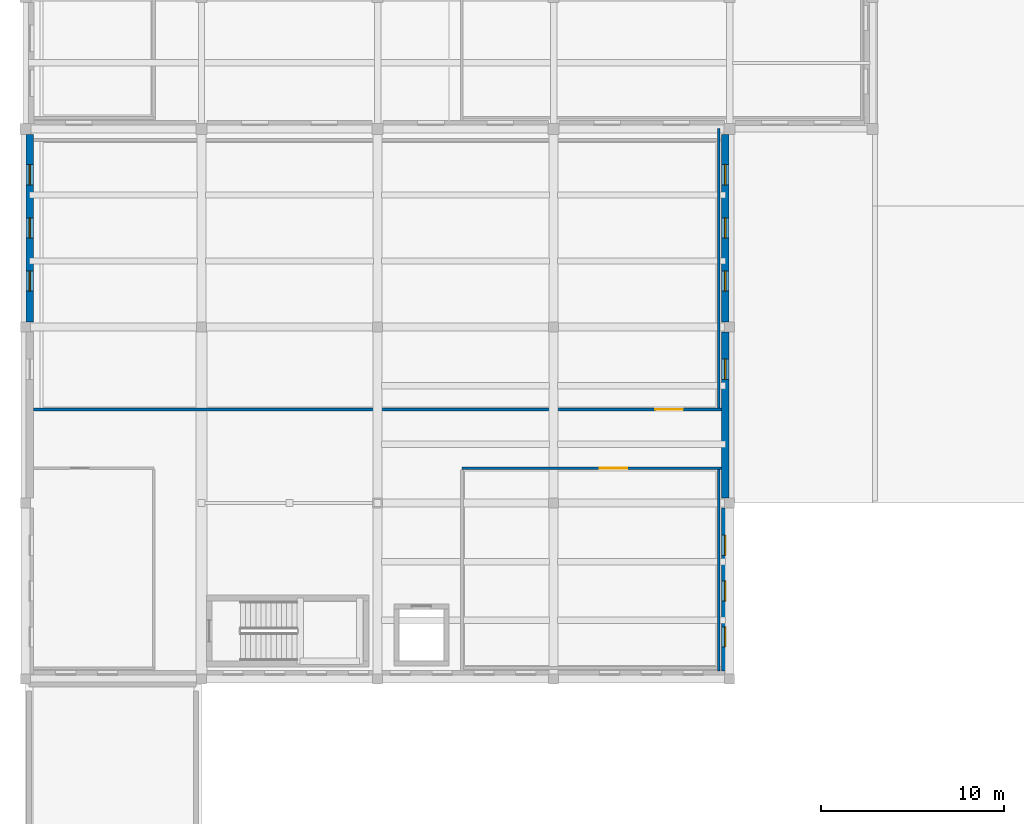
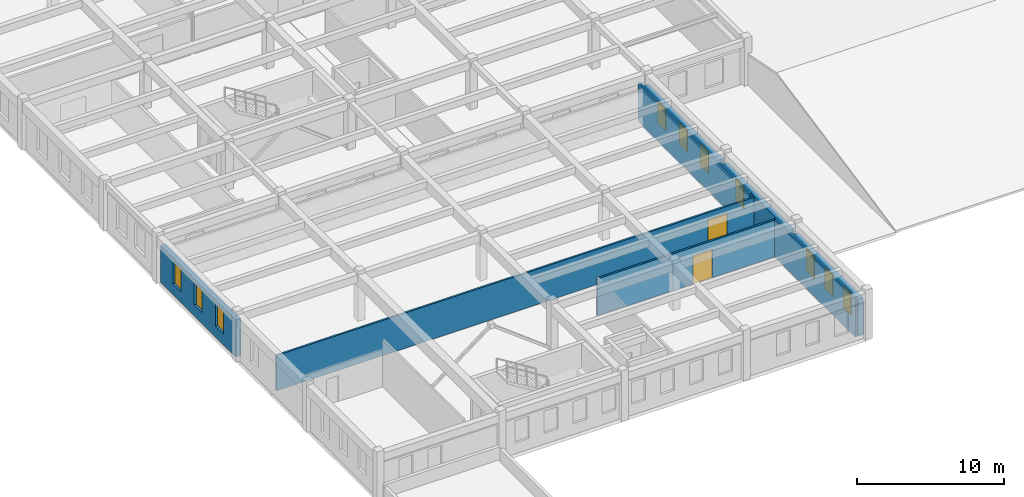
# One storey, part 16 of 46: 10 windows, 8 walls, 2 doors, 12 openings.
"""IFC4 building model written with IfcOpenShell, lengths in metres."""

from ifc_helpers import new_model, si_unit, direction, frame, frame_2d, origin, place, context, subcontext, project, spatial, rectangle, extrude, material, layer, layer_set, type_object, element, fill, save


model = new_model("IFC4")

# Units and contexts
model_context = context("Model", 3, precision=1e-05, world=origin(), true_north=direction((0.0, 1.0)))
body_context = subcontext(model_context, "Body", "Model", "MODEL_VIEW")
ifc_project = project(units=[si_unit("LENGTHUNIT", "METRE"), si_unit("AREAUNIT", "SQUARE_METRE"), si_unit("VOLUMEUNIT", "CUBIC_METRE"), si_unit("PLANEANGLEUNIT", "RADIAN"), si_unit("MASSUNIT", "GRAM", prefix="KILO")], contexts=[model_context])

# Site, building, storey
site_placement = place(None, origin())
site = spatial("IfcSite", under=ifc_project, at=site_placement, CompositionType="ELEMENT")
building_placement = place(site_placement, origin())
building = spatial("IfcBuilding", under=site, at=building_placement, Name="Tarnavel Promenade Courthouse", CompositionType="ELEMENT")
storey_placement = place(building_placement, frame((0.0, 0.0, 14.39990234375)))
storey = spatial("IfcBuildingStorey", under=building, at=storey_placement, Name="L04", CompositionType="ELEMENT", Elevation=14.39990234375)

# Wall, opening, door
ifc_material_1 = material(Name="Acoustic Insulated Gypsum Stud Partition", Category="gypsum")
ifc_layer_1 = layer(ifc_material_1, 0.14990234375)
ifc_layer_set_1 = layer_set([ifc_layer_1], Name="Acoustic Insulated Gypsum Stud Partition")
wall_type_1 = type_object("IfcWallType", Name="Acoustic Insulated Gypsum Stud Partition WL-LIB-150 (150 mm)", PredefinedType="PARTITIONING", material=ifc_layer_set_1)
wall_1_placement = place(storey_placement, frame((37.9609375, 51.89990234375, 0.0), z_axis=(0.0, 0.0, 1.0), x_axis=(-1.0, 0.0, 0.0)))
wall_1 = element("IfcWall", 1, at=wall_1_placement, inside=storey, type_object=wall_type_1, Name="L04 Rare Constitutional Manuscripts Reading Room Partition 0607", PredefinedType="PARTITIONING", context=body_context, shape_type="SweptSolid", body=[
    extrude(rectangle(XDim=37.52197265625, YDim=0.14990234375, at=frame_2d((18.760986328125, 0.0))), origin(), (0.0, 0.0, 1.0), 2.93017578125),
])
opening_1_placement = place(wall_1_placement, frame((2.1162109375, 0.0, 0.0)))
opening_1 = element("IfcOpeningElement", 2, at=opening_1_placement, cuts=wall_1, Name="Opening ID-05", PredefinedType="OPENING", context=body_context, shape_type="SweptSolid", body=[
    extrude(rectangle(XDim=1.5, YDim=2.35009765625, at=frame_2d((0.75, 1.175048828125))), frame((0.0, 0.0849609375, 0.0), z_axis=(0.0, -1.0, 0.0), x_axis=(1.0, 0.0, 0.0)), (0.0, 0.0, 1.0), 0.169921875),
])
ifc_material_2 = material(Name="Glazed Oak Law Library Double Door")
door_type = type_object("IfcDoorType", Name="Glazed Oak Law Library Double Door (DR-LIB-1500x2350)", OperationType="NOTDEFINED", PredefinedType="DOOR", material=ifc_material_2)
door_1_placement = place(opening_1_placement, origin())
door_1 = element("IfcDoor", 3, at=door_1_placement, inside=storey, type_object=door_type, Name="L04 Rare Constitutional Manuscripts Reading Room Door 0173", OperationType="DOUBLE_DOOR_SINGLE_SWING", OverallHeight=2.35009765625, OverallWidth=1.5, PredefinedType="DOOR", context=body_context, shape_type="SweptSolid", body=[
    extrude(rectangle(XDim=1.5, YDim=2.35009765625, at=frame_2d((0.75, 1.175048828125))), frame((0.0, 0.02490234375, 0.0), z_axis=(0.0, -1.0, 0.0), x_axis=(1.0, 0.0, 0.0)), (0.0, 0.0, 1.0), 0.050048828125),
])
fill(opening_1, door_1)

# Wall
wall_2_placement = place(storey_placement, frame((37.800048828125, 67.22607421875, 0.0), z_axis=(0.0, 0.0, 1.0), x_axis=(0.0, -1.0, 0.0)))
element("IfcWall", 4, at=wall_2_placement, inside=storey, type_object=wall_type_1, Name="L04 Rare Constitutional Manuscripts Reading Room Partition 0608", PredefinedType="PARTITIONING", context=body_context, shape_type="SweptSolid", body=[
    extrude(rectangle(XDim=15.240966796875, YDim=0.14990234375, at=frame_2d((7.62060546875, 0.0))), origin(), (0.0, 0.0, 1.0), 3.22998046875),
])

# Wall, opening, door
wall_3_placement = place(storey_placement, frame((23.800048828125, 48.699951171875, 0.0), z_axis=(0.0, 0.0, 1.0), x_axis=(1.0, 0.0, 0.0)))
wall_3 = element("IfcWall", 5, at=wall_3_placement, inside=storey, type_object=wall_type_1, Name="L04 Law Library Book Stacks International Treaties Partition 0612", PredefinedType="PARTITIONING", context=body_context, shape_type="SweptSolid", body=[
    extrude(rectangle(XDim=14.160888671875, YDim=0.14990234375, at=frame_2d((7.08056640625, 0.0))), origin(), (0.0, 0.0, 1.0), 3.080078125),
])
opening_2_placement = place(wall_3_placement, frame((7.526611328125, 0.0, 0.0)))
opening_2 = element("IfcOpeningElement", 6, at=opening_2_placement, cuts=wall_3, Name="Opening ID-05", PredefinedType="OPENING", context=body_context, shape_type="SweptSolid", body=[
    extrude(rectangle(XDim=1.5, YDim=2.35009765625, at=frame_2d((0.75, 1.175048828125))), frame((0.0, 0.0849609375, 0.0), z_axis=(0.0, -1.0, 0.0), x_axis=(1.0, 0.0, 0.0)), (0.0, 0.0, 1.0), 0.169921875),
])
door_2_placement = place(opening_2_placement, origin())
door_2 = element("IfcDoor", 7, at=door_2_placement, inside=storey, type_object=door_type, Name="L04 Law Library Book Stacks International Treaties Door 0175", OperationType="DOUBLE_DOOR_SINGLE_SWING", OverallHeight=2.35009765625, OverallWidth=1.5, PredefinedType="DOOR", context=body_context, shape_type="SweptSolid", body=[
    extrude(rectangle(XDim=1.5, YDim=2.35009765625, at=frame_2d((0.75, 1.175048828125))), frame((0.0, 0.02490234375, 0.0), z_axis=(0.0, -1.0, 0.0), x_axis=(1.0, 0.0, 0.0)), (0.0, 0.0, 1.0), 0.050048828125),
])
fill(opening_2, door_2)

# Wall
wall_4_placement = place(storey_placement, frame((37.800048828125, 48.614990234375, 0.0), z_axis=(0.0, 0.0, 1.0), x_axis=(0.0, -1.0, 0.0)))
element("IfcWall", 8, at=wall_4_placement, inside=storey, type_object=wall_type_1, Name="L04 Law Library Book Stacks International Treaties Partition 0615", PredefinedType="PARTITIONING", context=body_context, shape_type="SweptSolid", body=[
    extrude(rectangle(XDim=10.966064453125, YDim=0.14990234375, at=frame_2d((5.48291015625, 0.0))), origin(), (0.0, 0.0, 1.0), 3.22998046875),
])

# Wall, openings, windows
ifc_material_3 = material(Name="Cream Brick Insulated Cavity Facade Assembly", Category="masonry")
ifc_layer_2 = layer(ifc_material_3, 0.409912109375)
ifc_layer_set_2 = layer_set([ifc_layer_2], Name="Cream Brick Insulated Cavity Facade Assembly")
wall_type_2 = type_object("IfcWallType", Name="Cream Brick Insulated Cavity Facade Assembly WL-EXT-410 (410 mm)", PredefinedType="STANDARD", material=ifc_layer_set_2)
wall_5_placement = place(storey_placement, frame((0.239990234375, 56.6669921875, 0.0), z_axis=(0.0, 0.0, 1.0), x_axis=(0.0, 1.0, 0.0)))
wall_5 = element("IfcWall", 9, at=wall_5_placement, inside=storey, type_object=wall_type_2, Name="L04 Law Library West Brick Facade 0348", PredefinedType="STANDARD", context=body_context, shape_type="SweptSolid", body=[
    extrude(rectangle(XDim=10.240966796875, YDim=0.409912109375, at=frame_2d((5.12060546875, 0.0))), origin(), (0.0, 0.0, 1.0), 3.080078125),
])
opening_3_placement = place(wall_5_placement, frame((1.68310546875, 0.0, 0.89990234375)))
opening_3 = element("IfcOpeningElement", 10, at=opening_3_placement, cuts=wall_5, Name="Opening W-07", PredefinedType="OPENING", context=body_context, shape_type="SweptSolid", body=[
    extrude(rectangle(XDim=1.10009765625, YDim=1.85009765625, at=frame_2d((0.550048828125, 0.925048828125))), frame((0.0, 0.21484375, 0.0), z_axis=(0.0, -1.0, 0.0), x_axis=(1.0, 0.0, 0.0)), (0.0, 0.0, 1.0), 0.429931640625),
])
opening_4_placement = place(wall_5_placement, frame((4.5830078125, 0.0, 0.89990234375)))
opening_4 = element("IfcOpeningElement", 11, at=opening_4_placement, cuts=wall_5, Name="Opening W-07", PredefinedType="OPENING", context=body_context, shape_type="SweptSolid", body=[
    extrude(rectangle(XDim=1.10009765625, YDim=1.85009765625, at=frame_2d((0.550048828125, 0.925048828125))), frame((0.0, 0.21484375, 0.0), z_axis=(0.0, -1.0, 0.0), x_axis=(1.0, 0.0, 0.0)), (0.0, 0.0, 1.0), 0.429931640625),
])
opening_5_placement = place(wall_5_placement, frame((7.48291015625, 0.0, 0.89990234375)))
opening_5 = element("IfcOpeningElement", 12, at=opening_5_placement, cuts=wall_5, Name="Opening W-07", PredefinedType="OPENING", context=body_context, shape_type="SweptSolid", body=[
    extrude(rectangle(XDim=1.10009765625, YDim=1.85009765625, at=frame_2d((0.550048828125, 0.925048828125))), frame((0.0, 0.21484375, 0.0), z_axis=(0.0, -1.0, 0.0), x_axis=(1.0, 0.0, 0.0)), (0.0, 0.0, 1.0), 0.429931640625),
])
ifc_material_4 = material(Name="Triple Low-E Glazed Bronze-Clad Window Assembly")
window_type = type_object("IfcWindowType", Name="Triple-Glazed Bronze-Clad Timber-Aluminium WIN-LIB-1100x1850", PartitioningType="SINGLE_PANEL", PredefinedType="WINDOW", material=ifc_material_4)
window_1_placement = place(opening_3_placement, origin())
window_1 = element("IfcWindow", 13, at=window_1_placement, inside=storey, type_object=window_type, Name="L04 Exterior Window 0411", OverallHeight=1.85009765625, OverallWidth=1.10009765625, PartitioningType="SINGLE_PANEL", PredefinedType="WINDOW", context=body_context, shape_type="SweptSolid", body=[
    extrude(rectangle(XDim=1.10009765625, YDim=1.85009765625, at=frame_2d((0.550048828125, 0.925048828125))), frame((0.0, 0.030029296875, 0.0), z_axis=(0.0, -1.0, 0.0), x_axis=(1.0, 0.0, 0.0)), (0.0, 0.0, 1.0), 0.06005859375),
])
fill(opening_3, window_1)
window_2_placement = place(opening_4_placement, origin())
window_2 = element("IfcWindow", 14, at=window_2_placement, inside=storey, type_object=window_type, Name="L04 Exterior Window 0412", OverallHeight=1.85009765625, OverallWidth=1.10009765625, PartitioningType="SINGLE_PANEL", PredefinedType="WINDOW", context=body_context, shape_type="SweptSolid", body=[
    extrude(rectangle(XDim=1.10009765625, YDim=1.85009765625, at=frame_2d((0.550048828125, 0.925048828125))), frame((0.0, 0.030029296875, 0.0), z_axis=(0.0, -1.0, 0.0), x_axis=(1.0, 0.0, 0.0)), (0.0, 0.0, 1.0), 0.06005859375),
])
fill(opening_4, window_2)
window_3_placement = place(opening_5_placement, origin())
window_3 = element("IfcWindow", 15, at=window_3_placement, inside=storey, type_object=window_type, Name="L04 Exterior Window 0413", OverallHeight=1.85009765625, OverallWidth=1.10009765625, PartitioningType="SINGLE_PANEL", PredefinedType="WINDOW", context=body_context, shape_type="SweptSolid", body=[
    extrude(rectangle(XDim=1.10009765625, YDim=1.85009765625, at=frame_2d((0.550048828125, 0.925048828125))), frame((0.0, 0.030029296875, 0.0), z_axis=(0.0, -1.0, 0.0), x_axis=(1.0, 0.0, 0.0)), (0.0, 0.0, 1.0), 0.06005859375),
])
fill(opening_5, window_3)

wall_6_placement = place(storey_placement, frame((38.159912109375, 46.532958984375, 0.0), z_axis=(0.0, 0.0, 1.0), x_axis=(0.0, -1.0, 0.0)))
wall_6 = element("IfcWall", 16, at=wall_6_placement, inside=storey, type_object=wall_type_2, Name="L04 L04 Law Library East Upper Wall 0349", PredefinedType="STANDARD", context=body_context, shape_type="SweptSolid", body=[
    extrude(rectangle(XDim=8.885986328125, YDim=0.409912109375, at=frame_2d((4.44287109375, 0.0))), origin(), (0.0, 0.0, 1.0), 3.080078125),
])
opening_6_placement = place(wall_6_placement, frame((1.48291015625, 0.0, 0.89990234375)))
opening_6 = element("IfcOpeningElement", 17, at=opening_6_placement, cuts=wall_6, Name="Opening W-07", PredefinedType="OPENING", context=body_context, shape_type="SweptSolid", body=[
    extrude(rectangle(XDim=1.10009765625, YDim=1.85009765625, at=frame_2d((0.550048828125, 0.925048828125))), frame((0.0, 0.21484375, 0.0), z_axis=(0.0, -1.0, 0.0), x_axis=(1.0, 0.0, 0.0)), (0.0, 0.0, 1.0), 0.429931640625),
])
opening_7_placement = place(wall_6_placement, frame((3.98291015625, 0.0, 0.89990234375)))
opening_7 = element("IfcOpeningElement", 18, at=opening_7_placement, cuts=wall_6, Name="Opening W-07", PredefinedType="OPENING", context=body_context, shape_type="SweptSolid", body=[
    extrude(rectangle(XDim=1.10009765625, YDim=1.85009765625, at=frame_2d((0.550048828125, 0.925048828125))), frame((0.0, 0.21484375, 0.0), z_axis=(0.0, -1.0, 0.0), x_axis=(1.0, 0.0, 0.0)), (0.0, 0.0, 1.0), 0.429931640625),
])
opening_8_placement = place(wall_6_placement, frame((6.48291015625, 0.0, 0.89990234375)))
opening_8 = element("IfcOpeningElement", 19, at=opening_8_placement, cuts=wall_6, Name="Opening W-07", PredefinedType="OPENING", context=body_context, shape_type="SweptSolid", body=[
    extrude(rectangle(XDim=1.10009765625, YDim=1.85009765625, at=frame_2d((0.550048828125, 0.925048828125))), frame((0.0, 0.21484375, 0.0), z_axis=(0.0, -1.0, 0.0), x_axis=(1.0, 0.0, 0.0)), (0.0, 0.0, 1.0), 0.429931640625),
])
window_4_placement = place(opening_6_placement, origin())
window_4 = element("IfcWindow", 20, at=window_4_placement, inside=storey, type_object=window_type, Name="L04 Exterior Window 0414", OverallHeight=1.85009765625, OverallWidth=1.10009765625, PartitioningType="SINGLE_PANEL", PredefinedType="WINDOW", context=body_context, shape_type="SweptSolid", body=[
    extrude(rectangle(XDim=1.10009765625, YDim=1.85009765625, at=frame_2d((0.550048828125, 0.925048828125))), frame((0.0, 0.030029296875, 0.0), z_axis=(0.0, -1.0, 0.0), x_axis=(1.0, 0.0, 0.0)), (0.0, 0.0, 1.0), 0.06005859375),
])
fill(opening_6, window_4)
window_5_placement = place(opening_7_placement, origin())
window_5 = element("IfcWindow", 21, at=window_5_placement, inside=storey, type_object=window_type, Name="L04 Exterior Window 0415", OverallHeight=1.85009765625, OverallWidth=1.10009765625, PartitioningType="SINGLE_PANEL", PredefinedType="WINDOW", context=body_context, shape_type="SweptSolid", body=[
    extrude(rectangle(XDim=1.10009765625, YDim=1.85009765625, at=frame_2d((0.550048828125, 0.925048828125))), frame((0.0, 0.030029296875, 0.0), z_axis=(0.0, -1.0, 0.0), x_axis=(1.0, 0.0, 0.0)), (0.0, 0.0, 1.0), 0.06005859375),
])
fill(opening_7, window_5)
window_6_placement = place(opening_8_placement, origin())
window_6 = element("IfcWindow", 22, at=window_6_placement, inside=storey, type_object=window_type, Name="L04 Exterior Window 0416", OverallHeight=1.85009765625, OverallWidth=1.10009765625, PartitioningType="SINGLE_PANEL", PredefinedType="WINDOW", context=body_context, shape_type="SweptSolid", body=[
    extrude(rectangle(XDim=1.10009765625, YDim=1.85009765625, at=frame_2d((0.550048828125, 0.925048828125))), frame((0.0, 0.030029296875, 0.0), z_axis=(0.0, -1.0, 0.0), x_axis=(1.0, 0.0, 0.0)), (0.0, 0.0, 1.0), 0.06005859375),
])
fill(opening_8, window_6)

# Wall, opening, window
wall_7_placement = place(storey_placement, frame((38.159912109375, 56.133056640625, 0.0), z_axis=(0.0, 0.0, 1.0), x_axis=(0.0, -1.0, 0.0)))
wall_7 = element("IfcWall", 23, at=wall_7_placement, inside=storey, type_object=wall_type_2, Name="L04 L04 Law Library East Upper Wall 0350", PredefinedType="STANDARD", context=body_context, shape_type="SweptSolid", body=[
    extrude(rectangle(XDim=9.066162109375, YDim=0.409912109375, at=frame_2d((4.533203125, 0.0))), origin(), (0.0, 0.0, 1.0), 3.080078125),
])
opening_9_placement = place(wall_7_placement, frame((1.48291015625, 0.0, 0.89990234375)))
opening_9 = element("IfcOpeningElement", 24, at=opening_9_placement, cuts=wall_7, Name="Opening W-07", PredefinedType="OPENING", context=body_context, shape_type="SweptSolid", body=[
    extrude(rectangle(XDim=1.10009765625, YDim=1.85009765625, at=frame_2d((0.550048828125, 0.925048828125))), frame((0.0, 0.21484375, 0.0), z_axis=(0.0, -1.0, 0.0), x_axis=(1.0, 0.0, 0.0)), (0.0, 0.0, 1.0), 0.429931640625),
])
window_7_placement = place(opening_9_placement, origin())
window_7 = element("IfcWindow", 25, at=window_7_placement, inside=storey, type_object=window_type, Name="L04 Exterior Window 0417", OverallHeight=1.85009765625, OverallWidth=1.10009765625, PartitioningType="SINGLE_PANEL", PredefinedType="WINDOW", context=body_context, shape_type="SweptSolid", body=[
    extrude(rectangle(XDim=1.10009765625, YDim=1.85009765625, at=frame_2d((0.550048828125, 0.925048828125))), frame((0.0, 0.030029296875, 0.0), z_axis=(0.0, -1.0, 0.0), x_axis=(1.0, 0.0, 0.0)), (0.0, 0.0, 1.0), 0.06005859375),
])
fill(opening_9, window_7)

# Wall, openings, windows
wall_8_placement = place(storey_placement, frame((38.159912109375, 66.907958984375, 0.0), z_axis=(0.0, 0.0, 1.0), x_axis=(0.0, -1.0, 0.0)))
wall_8 = element("IfcWall", 26, at=wall_8_placement, inside=storey, type_object=wall_type_2, Name="L04 L04 Law Library East Upper Wall 0351", PredefinedType="STANDARD", context=body_context, shape_type="SweptSolid", body=[
    extrude(rectangle(XDim=10.240966796875, YDim=0.409912109375, at=frame_2d((5.12060546875, 0.0))), origin(), (0.0, 0.0, 1.0), 3.080078125),
])
opening_10_placement = place(wall_8_placement, frame((1.657958984375, 0.0, 0.89990234375)))
opening_10 = element("IfcOpeningElement", 27, at=opening_10_placement, cuts=wall_8, Name="Opening W-07", PredefinedType="OPENING", context=body_context, shape_type="SweptSolid", body=[
    extrude(rectangle(XDim=1.10009765625, YDim=1.85009765625, at=frame_2d((0.550048828125, 0.925048828125))), frame((0.0, 0.21484375, 0.0), z_axis=(0.0, -1.0, 0.0), x_axis=(1.0, 0.0, 0.0)), (0.0, 0.0, 1.0), 0.429931640625),
])
opening_11_placement = place(wall_8_placement, frame((4.55810546875, 0.0, 0.89990234375)))
opening_11 = element("IfcOpeningElement", 28, at=opening_11_placement, cuts=wall_8, Name="Opening W-07", PredefinedType="OPENING", context=body_context, shape_type="SweptSolid", body=[
    extrude(rectangle(XDim=1.10009765625, YDim=1.85009765625, at=frame_2d((0.550048828125, 0.925048828125))), frame((0.0, 0.21484375, 0.0), z_axis=(0.0, -1.0, 0.0), x_axis=(1.0, 0.0, 0.0)), (0.0, 0.0, 1.0), 0.429931640625),
])
opening_12_placement = place(wall_8_placement, frame((7.4580078125, 0.0, 0.89990234375)))
opening_12 = element("IfcOpeningElement", 29, at=opening_12_placement, cuts=wall_8, Name="Opening W-07", PredefinedType="OPENING", context=body_context, shape_type="SweptSolid", body=[
    extrude(rectangle(XDim=1.10009765625, YDim=1.85009765625, at=frame_2d((0.550048828125, 0.925048828125))), frame((0.0, 0.21484375, 0.0), z_axis=(0.0, -1.0, 0.0), x_axis=(1.0, 0.0, 0.0)), (0.0, 0.0, 1.0), 0.429931640625),
])
window_8_placement = place(opening_10_placement, origin())
window_8 = element("IfcWindow", 30, at=window_8_placement, inside=storey, type_object=window_type, Name="L04 Exterior Window 0418", OverallHeight=1.85009765625, OverallWidth=1.10009765625, PartitioningType="SINGLE_PANEL", PredefinedType="WINDOW", context=body_context, shape_type="SweptSolid", body=[
    extrude(rectangle(XDim=1.10009765625, YDim=1.85009765625, at=frame_2d((0.550048828125, 0.925048828125))), frame((0.0, 0.030029296875, 0.0), z_axis=(0.0, -1.0, 0.0), x_axis=(1.0, 0.0, 0.0)), (0.0, 0.0, 1.0), 0.06005859375),
])
fill(opening_10, window_8)
window_9_placement = place(opening_11_placement, origin())
window_9 = element("IfcWindow", 31, at=window_9_placement, inside=storey, type_object=window_type, Name="L04 Exterior Window 0419", OverallHeight=1.85009765625, OverallWidth=1.10009765625, PartitioningType="SINGLE_PANEL", PredefinedType="WINDOW", context=body_context, shape_type="SweptSolid", body=[
    extrude(rectangle(XDim=1.10009765625, YDim=1.85009765625, at=frame_2d((0.550048828125, 0.925048828125))), frame((0.0, 0.030029296875, 0.0), z_axis=(0.0, -1.0, 0.0), x_axis=(1.0, 0.0, 0.0)), (0.0, 0.0, 1.0), 0.06005859375),
])
fill(opening_11, window_9)
window_10_placement = place(opening_12_placement, origin())
window_10 = element("IfcWindow", 32, at=window_10_placement, inside=storey, type_object=window_type, Name="L04 Exterior Window 0420", OverallHeight=1.85009765625, OverallWidth=1.10009765625, PartitioningType="SINGLE_PANEL", PredefinedType="WINDOW", context=body_context, shape_type="SweptSolid", body=[
    extrude(rectangle(XDim=1.10009765625, YDim=1.85009765625, at=frame_2d((0.550048828125, 0.925048828125))), frame((0.0, 0.030029296875, 0.0), z_axis=(0.0, -1.0, 0.0), x_axis=(1.0, 0.0, 0.0)), (0.0, 0.0, 1.0), 0.06005859375),
])
fill(opening_12, window_10)

save(model, "model.ifc")
